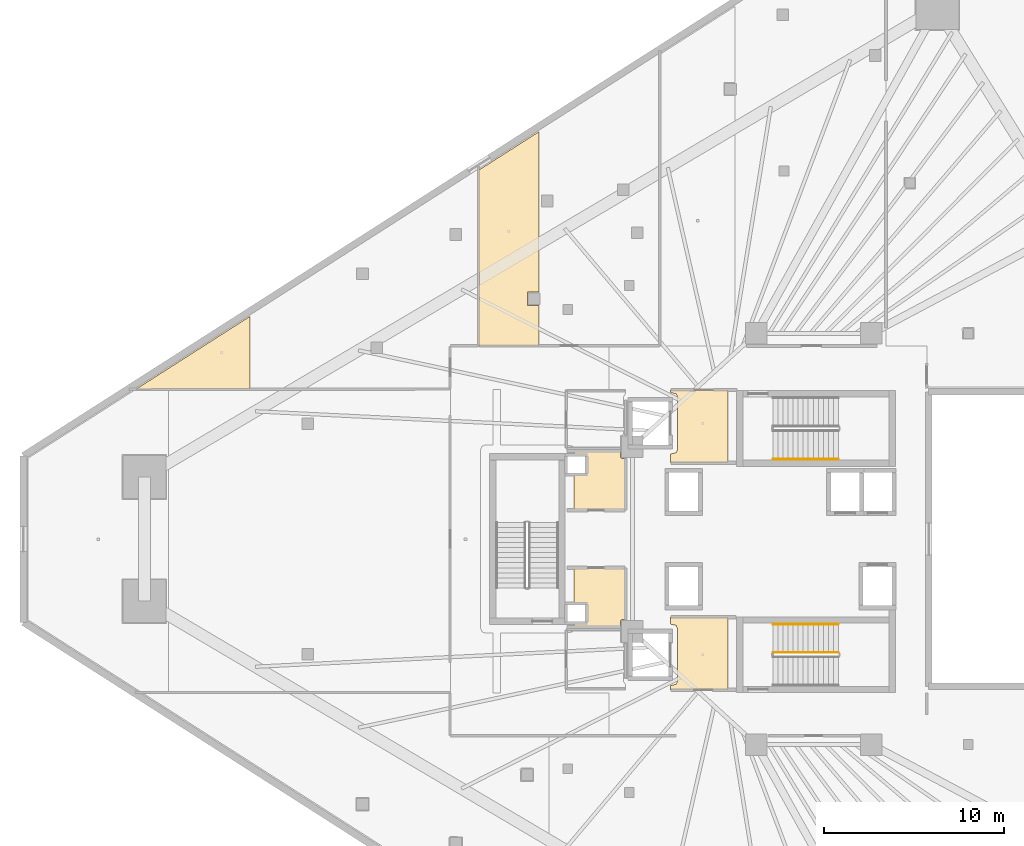
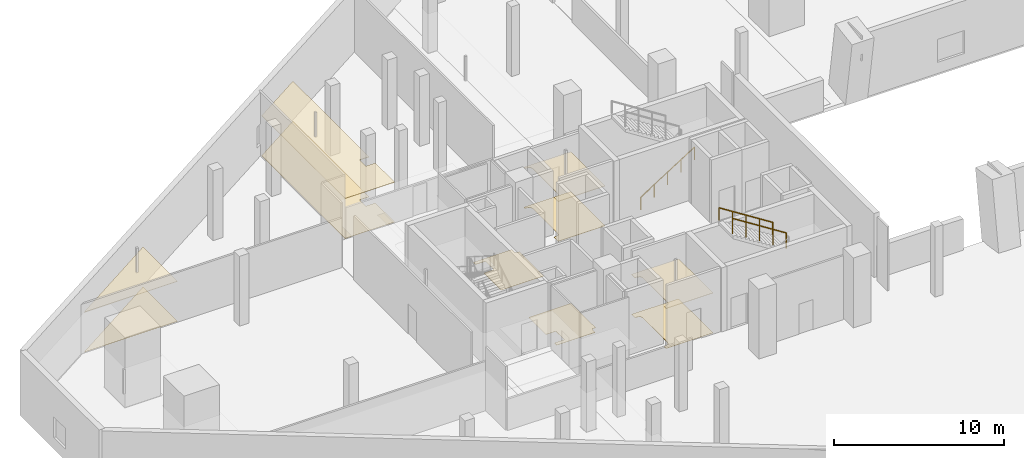
# One storey, part 41 of 43: 10 coverings, 3 railings.
"""IFC4 building model written with IfcOpenShell, lengths in metres."""

from ifc_helpers import new_model, si_unit, direction, frame, origin, origin_2d, place, context, subcontext, project, spatial, polyline, circle, outline, extrude, material, layer, layer_set, type_object, element, save


model = new_model("IFC4")

# Units and contexts
model_context = context("Model", 3, precision=1e-05, world=origin(), true_north=direction((0.0, 1.0)))
body_context = subcontext(model_context, "Body", "Model", "MODEL_VIEW")
ifc_project = project(units=[si_unit("LENGTHUNIT", "METRE"), si_unit("AREAUNIT", "SQUARE_METRE"), si_unit("VOLUMEUNIT", "CUBIC_METRE"), si_unit("PLANEANGLEUNIT", "RADIAN"), si_unit("MASSUNIT", "GRAM", prefix="KILO")], contexts=[model_context])

# Site, building, storey
site_placement = place(None, origin())
site = spatial("IfcSite", under=ifc_project, at=site_placement, CompositionType="ELEMENT")
building_placement = place(site_placement, origin())
building = spatial("IfcBuilding", under=site, at=building_placement, Name="Qorvath Tower", CompositionType="ELEMENT")
storey_placement = place(building_placement, frame((0.0, 0.0, 22.0)))
storey = spatial("IfcBuildingStorey", under=building, at=storey_placement, Name="L04", CompositionType="ELEMENT", Elevation=22.0)

# Coverings
ifc_material_1 = material(Name="Acoustic mineral fibre ceiling tile", Category="gypsum")
ifc_layer_1 = layer(ifc_material_1, 0.030029296875)
ifc_layer_set_1 = layer_set([ifc_layer_1], Name="COV-CEIL")
covering_type_1 = type_object("IfcCoveringType", Name="COV-CEIL", PredefinedType="CEILING", material=ifc_layer_set_1)
covering_1_placement = place(storey_placement, frame((0.0, 0.0, 2.85009765625)))
element("IfcCovering", 1, at=covering_1_placement, inside=storey, type_object=covering_type_1, Name="L04 Suspended Acoustic Ceiling 001", PredefinedType="CEILING", context=body_context, shape_type="SweptSolid", body=[
    extrude(outline(polyline([(-25.18994140625, 4.2548828125), (-25.18994140625, 8.294921875), (-28.375, 8.294921875), (-28.375, 8.159912109375), (-28.063232421875, 8.086669921875), (-27.989990234375, 7.909912109375), (-27.989990234375, 4.989990234375), (-28.063232421875, 4.813232421875), (-28.375, 4.739990234375), (-28.375, 4.2548828125), (-25.18994140625, 4.2548828125)])), origin(), (0.0, 0.0, 1.0), 0.030029296875),
])
covering_2_placement = place(storey_placement, frame((0.0, 0.0, 2.85009765625)))
element("IfcCovering", 2, at=covering_2_placement, inside=storey, type_object=covering_type_1, Name="L04 Suspended Acoustic Ceiling 002", PredefinedType="CEILING", context=body_context, shape_type="SweptSolid", body=[
    extrude(outline(polyline([(-25.18994140625, -8.39501953125), (-25.18994140625, -4.35498046875), (-28.375, -4.35498046875), (-28.375, -4.739990234375), (-28.063232421875, -4.813232421875), (-27.989990234375, -4.989990234375), (-27.989990234375, -7.909912109375), (-28.063232421875, -8.086669921875), (-28.375, -8.159912109375), (-28.375, -8.39501953125), (-25.18994140625, -8.39501953125)])), origin(), (0.0, 0.0, 1.0), 0.030029296875),
])
covering_3_placement = place(storey_placement, frame((0.0, 0.0, 2.85009765625)))
element("IfcCovering", 3, at=covering_3_placement, inside=storey, type_object=covering_type_1, Name="L04 Suspended Acoustic Ceiling 008", PredefinedType="CEILING", context=body_context, shape_type="SweptSolid", body=[
    extrude(outline(polyline([(-51.7939453125, 8.345947265625), (-51.7939453125, 12.405029296875), (-58.15380859375, 8.341064453125), (-51.7939453125, 8.345947265625)])), origin(), (0.0, 0.0, 1.0), 0.030029296875),
])
covering_4_placement = place(storey_placement, frame((0.0, 0.0, 2.85009765625)))
element("IfcCovering", 4, at=covering_4_placement, inside=storey, type_object=covering_type_1, Name="L04 Suspended Acoustic Ceiling 009", PredefinedType="CEILING", context=body_context, shape_type="SweptSolid", body=[
    extrude(outline(polyline([(-39.05615234375, 10.762939453125), (-35.699462890625, 10.762939453125), (-35.699462890625, 13.013427734375), (-36.34814453125, 13.013427734375), (-36.34814453125, 13.748291015625), (-35.699462890625, 13.748291015625), (-35.699462890625, 22.689697265625), (-39.05615234375, 20.54443359375), (-39.05615234375, 10.762939453125)])), origin(), (0.0, 0.0, 1.0), 0.030029296875),
])
ifc_material_2 = material(Name="Low-VOC modular carpet tile", Category="textile")
ifc_layer_2 = layer(ifc_material_2, 0.014892578125)
ifc_layer_set_2 = layer_set([ifc_layer_2], Name="COV-FLOOR-CPT")
covering_type_2 = type_object("IfcCoveringType", Name="COV-FLOOR-CPT", PredefinedType="FLOORING", material=ifc_layer_set_2)
covering_5_placement = place(storey_placement, origin())
element("IfcCovering", 5, at=covering_5_placement, inside=storey, type_object=covering_type_2, Name="L04 Floor Finish 004", PredefinedType="FLOORING", context=body_context, shape_type="SweptSolid", body=[
    extrude(outline(polyline([(-31.159912109375, 4.89501953125), (-33.760009765625, 4.89501953125), (-33.760009765625, 4.633056640625), (-33.08837890625, 4.631591796875), (-33.0869140625, 3.64208984375), (-33.760009765625, 3.636962890625), (-33.760009765625, 1.60498046875), (-30.885009765625, 1.60498046875), (-30.885009765625, 4.489990234375), (-31.10009765625, 4.489990234375), (-31.159912109375, 4.550048828125), (-31.159912109375, 4.89501953125)])), origin(), (0.0, 0.0, 1.0), 0.014892578125),
])
covering_6_placement = place(storey_placement, origin())
element("IfcCovering", 6, at=covering_6_placement, inside=storey, type_object=covering_type_2, Name="L04 Floor Finish 006", PredefinedType="FLOORING", context=body_context, shape_type="SweptSolid", body=[
    extrude(outline(polyline([(-30.885009765625, -4.489990234375), (-30.885009765625, -1.60498046875), (-33.760009765625, -1.60498046875), (-33.760009765625, -3.636962890625), (-33.08837890625, -3.638427734375), (-33.0869140625, -4.6279296875), (-33.760009765625, -4.633056640625), (-33.760009765625, -4.89501953125), (-31.159912109375, -4.89501953125), (-31.159912109375, -4.550048828125), (-31.10009765625, -4.489990234375), (-30.885009765625, -4.489990234375)])), origin(), (0.0, 0.0, 1.0), 0.014892578125),
])
covering_7_placement = place(storey_placement, origin())
element("IfcCovering", 7, at=covering_7_placement, inside=storey, type_object=covering_type_2, Name="L04 Floor Finish 008", PredefinedType="FLOORING", context=body_context, shape_type="SweptSolid", body=[
    extrude(outline(polyline([(-51.7939453125, 8.345947265625), (-51.7939453125, 12.405029296875), (-58.15380859375, 8.341064453125), (-51.7939453125, 8.345947265625)])), origin(), (0.0, 0.0, 1.0), 0.014892578125),
])
covering_8_placement = place(storey_placement, origin())
element("IfcCovering", 8, at=covering_8_placement, inside=storey, type_object=covering_type_2, Name="L04 Floor Finish 009", PredefinedType="FLOORING", context=body_context, shape_type="SweptSolid", body=[
    extrude(outline(polyline([(-39.05615234375, 10.762939453125), (-35.699462890625, 10.762939453125), (-35.699462890625, 13.013427734375), (-36.34814453125, 13.013427734375), (-36.34814453125, 13.748291015625), (-35.699462890625, 13.748291015625), (-35.699462890625, 22.689697265625), (-39.05615234375, 20.54443359375), (-39.05615234375, 10.762939453125)])), origin(), (0.0, 0.0, 1.0), 0.014892578125),
])
ifc_material_3 = material(Name="Polished epoxy terrazzo flooring", Category="concrete")
ifc_layer_3 = layer(ifc_material_3, 0.02001953125)
ifc_layer_set_3 = layer_set([ifc_layer_3], Name="COV-FLOOR-TRZ")
covering_type_3 = type_object("IfcCoveringType", Name="COV-FLOOR-TRZ", PredefinedType="FLOORING", material=ifc_layer_set_3)
covering_9_placement = place(storey_placement, origin())
element("IfcCovering", 9, at=covering_9_placement, inside=storey, type_object=covering_type_3, Name="L04 Floor Finish 001", PredefinedType="FLOORING", context=body_context, shape_type="SweptSolid", body=[
    extrude(outline(polyline([(-25.18994140625, 4.2548828125), (-25.18994140625, 8.294921875), (-28.375, 8.294921875), (-28.375, 8.159912109375), (-28.063232421875, 8.086669921875), (-27.989990234375, 7.909912109375), (-27.989990234375, 4.989990234375), (-28.063232421875, 4.813232421875), (-28.375, 4.739990234375), (-28.375, 4.2548828125), (-25.18994140625, 4.2548828125)])), origin(), (0.0, 0.0, 1.0), 0.014892578125),
])
covering_10_placement = place(storey_placement, origin())
element("IfcCovering", 10, at=covering_10_placement, inside=storey, type_object=covering_type_3, Name="L04 Floor Finish 002", PredefinedType="FLOORING", context=body_context, shape_type="SweptSolid", body=[
    extrude(outline(polyline([(-25.18994140625, -8.39501953125), (-25.18994140625, -4.35498046875), (-28.375, -4.35498046875), (-28.375, -4.739990234375), (-28.063232421875, -4.813232421875), (-27.989990234375, -4.989990234375), (-27.989990234375, -7.909912109375), (-28.063232421875, -8.086669921875), (-28.375, -8.159912109375), (-28.375, -8.39501953125), (-25.18994140625, -8.39501953125)])), origin(), (0.0, 0.0, 1.0), 0.014892578125),
])

# Railings
ifc_material_4 = material(Name="Painted galvanised steel", Category="steel")
railing_type_1 = type_object("IfcRailingType", Name="RL-STR-GRD", PredefinedType="GUARDRAIL", material=ifc_material_4)
railing_1_placement = place(storey_placement, frame((-19.030029296875, -6.320068359375, 2.678466796875)))
element("IfcRailing", 11, at=railing_1_placement, inside=storey, type_object=railing_type_1, Name="L04 TS2 stair guard 3", PredefinedType="GUARDRAIL", context=body_context, shape_type="SweptSolid", body=[
    extrude(circle(Radius=0.02392578125, at=origin_2d()), frame((0.0, 0.0, 1.076171875), z_axis=(-0.843111507901, 0.0, 0.53773877045), x_axis=(0.0, -1.0, 0.0)), (0.0, 0.0, 1.0), 4.317138671875),
    extrude(circle(Radius=0.02099609375, at=origin_2d()), origin(), (0.0, 0.0, 1.0), 1.052001953125),
    extrude(circle(Radius=0.02099609375, at=origin_2d()), frame((-0.909912109375, 0.0, 0.580322265625)), (0.0, 0.0, 1.0), 1.052001953125),
    extrude(circle(Radius=0.02099609375, at=origin_2d()), frame((-1.81982421875, 0.0, 1.16064453125)), (0.0, 0.0, 1.0), 1.052001953125),
    extrude(circle(Radius=0.02099609375, at=origin_2d()), frame((-2.72998046875, 0.0, 1.7412109375)), (0.0, 0.0, 1.0), 1.052001953125),
    extrude(circle(Radius=0.02099609375, at=origin_2d()), frame((-3.639892578125, 0.0, 2.321533203125)), (0.0, 0.0, 1.0), 1.052001953125),
])
ifc_material_5 = material(Name="Brushed stainless steel AISI 304", Category="steel")
railing_type_2 = type_object("IfcRailingType", Name="RL-STR-HND", PredefinedType="HANDRAIL", material=ifc_material_5)
railing_2_placement = place(storey_placement, frame((-22.669921875, 4.449951171875, 0.178466796875)))
element("IfcRailing", 12, at=railing_2_placement, inside=storey, type_object=railing_type_2, Name="L04 TS1 stair handrail 1", PredefinedType="HANDRAIL", context=body_context, shape_type="SweptSolid", body=[
    extrude(circle(Radius=0.02392578125, at=origin_2d()), frame((0.0, 0.0, 0.8759765625), z_axis=(0.843111507901, 0.0, 0.53773877045), x_axis=(0.0, 1.0, 0.0)), (0.0, 0.0, 1.0), 4.317138671875),
    extrude(circle(Radius=0.02099609375, at=origin_2d()), origin(), (0.0, 0.0, 1.0), 0.851806640625),
    extrude(circle(Radius=0.02099609375, at=origin_2d()), frame((0.909912109375, 0.0, 0.580322265625)), (0.0, 0.0, 1.0), 0.851806640625),
    extrude(circle(Radius=0.02099609375, at=origin_2d()), frame((1.81982421875, 0.0, 1.16064453125)), (0.0, 0.0, 1.0), 0.851806640625),
    extrude(circle(Radius=0.02099609375, at=origin_2d()), frame((2.72998046875, 0.0, 1.7412109375)), (0.0, 0.0, 1.0), 0.851806640625),
    extrude(circle(Radius=0.02099609375, at=origin_2d()), frame((3.639892578125, 0.0, 2.321533203125)), (0.0, 0.0, 1.0), 0.851806640625),
])
railing_3_placement = place(storey_placement, frame((-19.030029296875, -4.739990234375, 2.678466796875)))
element("IfcRailing", 13, at=railing_3_placement, inside=storey, type_object=railing_type_2, Name="L04 TS2 stair handrail 2", PredefinedType="HANDRAIL", context=body_context, shape_type="SweptSolid", body=[
    extrude(circle(Radius=0.02392578125, at=origin_2d()), frame((0.0, 0.0, 0.8759765625), z_axis=(-0.843111507901, 0.0, 0.53773877045), x_axis=(0.0, -1.0, 0.0)), (0.0, 0.0, 1.0), 4.317138671875),
    extrude(circle(Radius=0.02099609375, at=origin_2d()), origin(), (0.0, 0.0, 1.0), 0.851806640625),
    extrude(circle(Radius=0.02099609375, at=origin_2d()), frame((-0.909912109375, 0.0, 0.580322265625)), (0.0, 0.0, 1.0), 0.851806640625),
    extrude(circle(Radius=0.02099609375, at=origin_2d()), frame((-1.81982421875, 0.0, 1.16064453125)), (0.0, 0.0, 1.0), 0.851806640625),
    extrude(circle(Radius=0.02099609375, at=origin_2d()), frame((-2.72998046875, 0.0, 1.7412109375)), (0.0, 0.0, 1.0), 0.851806640625),
    extrude(circle(Radius=0.02099609375, at=origin_2d()), frame((-3.639892578125, 0.0, 2.321533203125)), (0.0, 0.0, 1.0), 0.851806640625),
])

save(model, "model.ifc")
